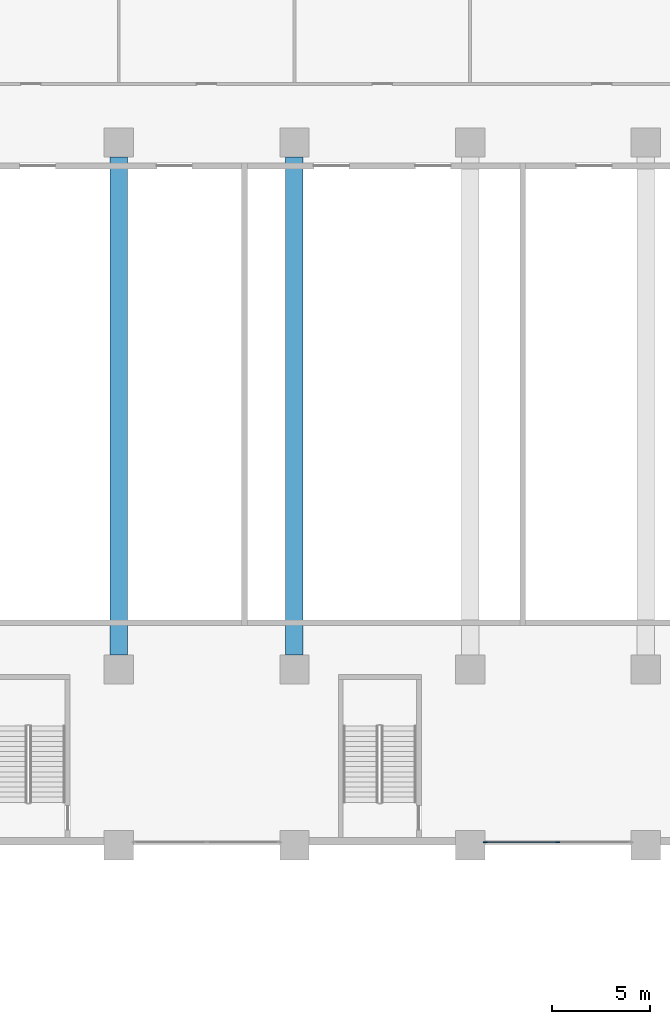
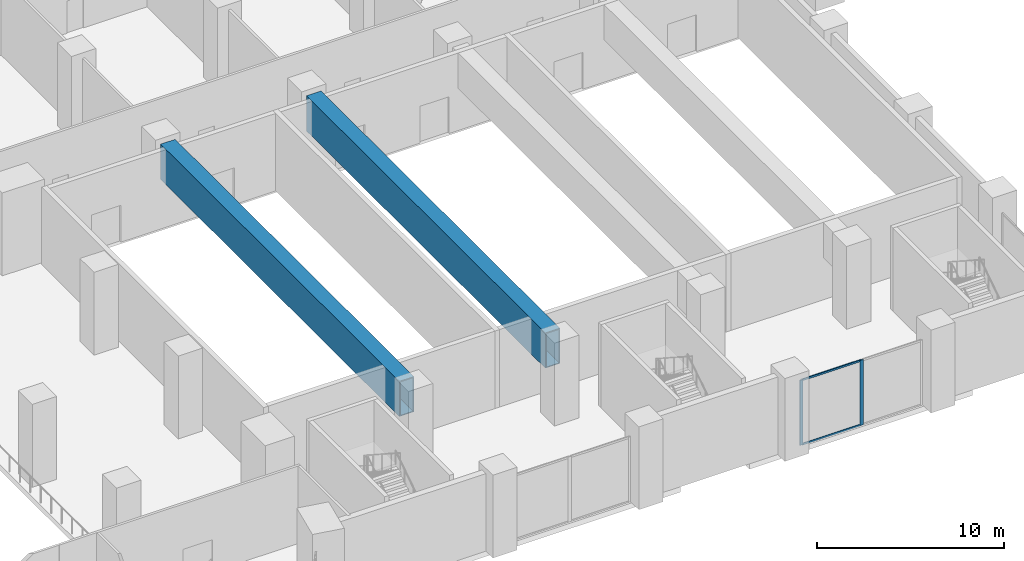
# One storey, part 5 of 43: 4 members, 2 beams, 1 element without a shape of its own.
"""IFC4 building model written with IfcOpenShell, lengths in metres."""

from ifc_helpers import new_model, si_unit, direction, frame, origin, origin_2d, place, context, subcontext, project, spatial, rectangle, hollow_rectangle, extrude, material, material_profile, profile_set, type_object, element, aggregate, save


model = new_model("IFC4")

# Units and contexts
model_context = context("Model", 3, precision=1e-05, world=origin(), true_north=direction((0.0, 1.0)))
body_context = subcontext(model_context, "Body", "Model", "MODEL_VIEW")
ifc_project = project(units=[si_unit("LENGTHUNIT", "METRE"), si_unit("AREAUNIT", "SQUARE_METRE"), si_unit("VOLUMEUNIT", "CUBIC_METRE"), si_unit("PLANEANGLEUNIT", "RADIAN"), si_unit("MASSUNIT", "GRAM", prefix="KILO")], contexts=[model_context])

# Site, building, storey
site_placement = place(None, origin())
site = spatial("IfcSite", under=ifc_project, at=site_placement, CompositionType="ELEMENT")
building_placement = place(site_placement, origin())
building = spatial("IfcBuilding", under=site, at=building_placement, Name="Hunhe Ridgeline Campus", CompositionType="ELEMENT")
storey_placement = place(building_placement, frame((0.0, 0.0, 11.39990234375)))
storey = spatial("IfcBuildingStorey", under=building, at=storey_placement, Name="L02", CompositionType="ELEMENT", Elevation=11.39990234375)

# Curtain wall, members
ifc_material_1 = material(Name="Aluminium and glass", Category="aluminium")
curtain_wall_type = type_object("IfcCurtainWallType", Name="Podium curtain wall CW-2", PredefinedType="NOTDEFINED", material=ifc_material_1)
curtain_wall_placement = place(storey_placement, origin())
curtain_wall = element("IfcCurtainWall", 1, at=curtain_wall_placement, inside=storey, type_object=curtain_wall_type, Name="L02 podium curtain wall 19", PredefinedType="NOTDEFINED")
ifc_material_2 = material(Name="Aluminium", Category="aluminium")
ifc_material_profile_1 = material_profile(ifc_material_2, rectangle(XDim=0.06005859375, YDim=0.199951171875, at=origin_2d()))
ifc_profile_set_1 = profile_set([ifc_material_profile_1], Name="Aluminium")
member_type_1 = type_object("IfcMemberType", Name="CW-2 mullion 60x200", PredefinedType="MULLION", material=ifc_profile_set_1)
member_1_placement = place(storey_placement, frame((72.780029296875, 18.14990234375, 0.0), z_axis=(0.0, 0.0, 1.0), x_axis=(0.0, 1.0, 0.0)))
member_1 = element("IfcMember", 2, at=member_1_placement, type_object=member_type_1, Name="CW2 mullion 1", PredefinedType="MULLION", context=body_context, shape_type="SweptSolid", body=[
    extrude(rectangle(XDim=0.06005859375, YDim=0.199951171875, at=origin_2d()), origin(), (0.0, 0.0, 1.0), 4.25),
])
member_2_placement = place(storey_placement, frame((76.5, 18.14990234375, 0.0), z_axis=(0.0, 0.0, 1.0), x_axis=(0.0, 1.0, 0.0)))
member_2 = element("IfcMember", 3, at=member_2_placement, type_object=member_type_1, Name="CW2 mullion 2", PredefinedType="MULLION", context=body_context, shape_type="SweptSolid", body=[
    extrude(rectangle(XDim=0.06005859375, YDim=0.199951171875, at=origin_2d()), origin(), (0.0, 0.0, 1.0), 4.25),
])
ifc_material_profile_2 = material_profile(ifc_material_2, rectangle(XDim=0.06005859375, YDim=0.1201171875, at=origin_2d()))
ifc_profile_set_2 = profile_set([ifc_material_profile_2], Name="Aluminium")
member_type_2 = type_object("IfcMemberType", Name="CW-2 transom 60x120", PredefinedType="USERDEFINED", material=ifc_profile_set_2)
member_3_placement = place(storey_placement, frame((72.81005859375, 18.14990234375, 0.030029296875), z_axis=(1.0, 0.0, 0.0), x_axis=(0.0, 1.0, 0.0)))
member_3 = element("IfcMember", 4, at=member_3_placement, type_object=member_type_2, Name="CW2 transom 1.1", ObjectType="TRANSOM", PredefinedType="USERDEFINED", context=body_context, shape_type="SweptSolid", body=[
    extrude(rectangle(XDim=0.06005859375, YDim=0.1201171875, at=origin_2d()), origin(), (0.0, 0.0, 1.0), 3.659912109375),
])
member_4_placement = place(storey_placement, frame((72.81005859375, 18.14990234375, 4.22021484375), z_axis=(1.0, 0.0, 0.0), x_axis=(0.0, 1.0, 0.0)))
member_4 = element("IfcMember", 5, at=member_4_placement, type_object=member_type_2, Name="CW2 transom 1.2", ObjectType="TRANSOM", PredefinedType="USERDEFINED", context=body_context, shape_type="SweptSolid", body=[
    extrude(rectangle(XDim=0.06005859375, YDim=0.1201171875, at=origin_2d()), origin(), (0.0, 0.0, 1.0), 3.659912109375),
])
aggregate(curtain_wall, [member_1, member_2, member_3, member_4])

# Beams
ifc_material_3 = material(Name="Steel Q420", Category="steel")
ifc_material_profile_3 = material_profile(ifc_material_3, hollow_rectangle(XDim=0.89990234375, YDim=2.300048828125, WallThickness=0.06005859375, at=origin_2d()))
ifc_profile_set_3 = profile_set([ifc_material_profile_3], Name="Steel Q420")
beam_type = type_object("IfcBeamType", Name="Transfer girder Box 2300x900x60 Steel Q420", PredefinedType="BEAM", material=ifc_profile_set_3)
for number, where, z_axis, x_axis, name in (
    (6, (54.0, 27.75, 3.900146484375), (0.0, 1.0, 0.0), (-1.0, 0.0, 0.0), "Transfer girder TG-54"),
    (7, (63.0, 27.75, 3.900146484375), (0.0, 1.0, 0.0), (-1.0, 0.0, 0.0), "Transfer girder TG-63"),
):
    element("IfcBeam", number, at=place(storey_placement, frame(where, z_axis=z_axis, x_axis=x_axis)), inside=storey, type_object=beam_type, Name=name, PredefinedType="BEAM", context=body_context, shape_type="SweptSolid", body=[
        extrude(hollow_rectangle(XDim=0.89990234375, YDim=2.300048828125, WallThickness=0.06005859375, at=origin_2d()), origin(), (0.0, 0.0, 1.0), 25.5),
    ])

save(model, "model.ifc")
